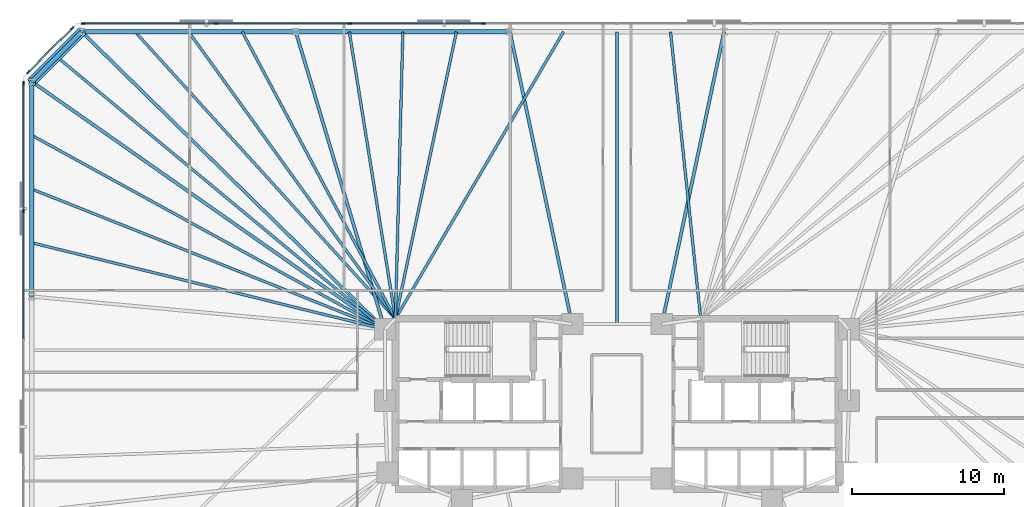
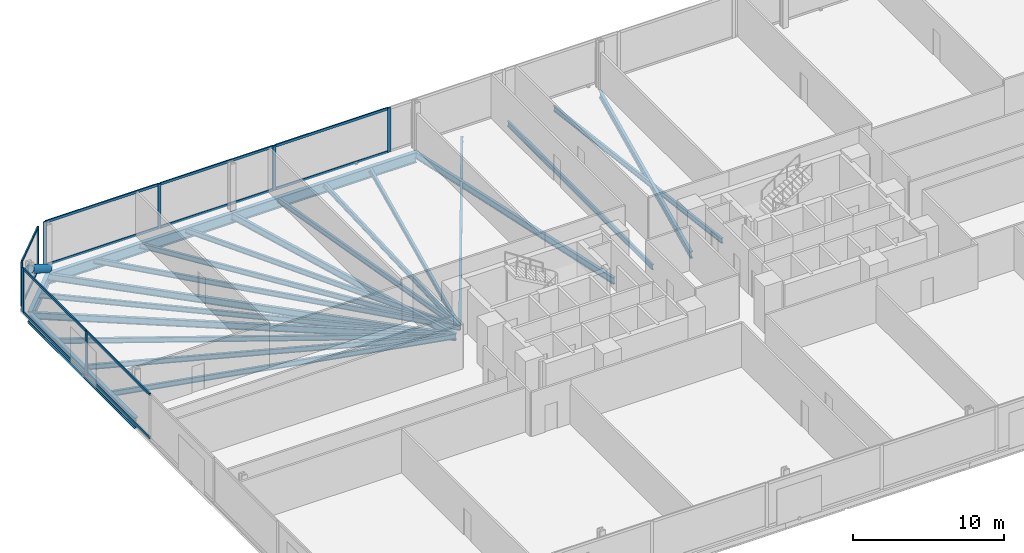
# One storey, part 8 of 17: 22 beams, 21 members, 3 elements without a shape of their own.
"""IFC4 building model written with IfcOpenShell, lengths in metres."""

from ifc_helpers import new_model, si_unit, direction, frame, origin, origin_2d, place, context, subcontext, project, spatial, rectangle, hollow_circle, i_section, extrude, material, material_profile, profile_set, type_object, element, aggregate, save


model = new_model("IFC4")

# Units and contexts
model_context = context("Model", 3, precision=1e-05, world=origin(), true_north=direction((0.0, 1.0)))
body_context = subcontext(model_context, "Body", "Model", "MODEL_VIEW")
ifc_project = project(units=[si_unit("LENGTHUNIT", "METRE"), si_unit("AREAUNIT", "SQUARE_METRE"), si_unit("VOLUMEUNIT", "CUBIC_METRE"), si_unit("PLANEANGLEUNIT", "RADIAN"), si_unit("MASSUNIT", "GRAM", prefix="KILO")], contexts=[model_context])

# Site, building, storey
site_placement = place(None, origin())
site = spatial("IfcSite", under=ifc_project, at=site_placement, CompositionType="ELEMENT")
building_placement = place(site_placement, origin())
building = spatial("IfcBuilding", under=site, at=building_placement, Name="Menara Jurai Vektor", CompositionType="ELEMENT")
storey_placement = place(building_placement, frame((0.0, 0.0, 25.60009765625)))
storey = spatial("IfcBuildingStorey", under=building, at=storey_placement, Name="L05", CompositionType="ELEMENT", Elevation=25.60009765625)

# Curtain wall, members
ifc_material_1 = material(Name="Anodised Pale Aluminium & Low-E Double Glazing", Category="aluminium")
curtain_wall_type = type_object("IfcCurtainWallType", Name="CW-BLK1", PredefinedType="NOTDEFINED", material=ifc_material_1)
curtain_wall_1_placement = place(storey_placement, origin())
curtain_wall_1 = element("IfcCurtainWall", 1, at=curtain_wall_1_placement, inside=storey, type_object=curtain_wall_type, Name="Unitised Curtain Wall L05 F05", PredefinedType="NOTDEFINED")
ifc_material_2 = material(Name="Anodised Pale Aluminium Mullion", Category="aluminium")
ifc_material_profile_1 = material_profile(ifc_material_2, rectangle(XDim=0.094970703125, YDim=0.239990234375, at=origin_2d()), Name="ALU MUL 95x240")
ifc_profile_set_1 = profile_set([ifc_material_profile_1], Name="Anodised Pale Aluminium Mullion")
member_type_1 = type_object("IfcMemberType", Name="CW-BLK1-MUL", PredefinedType="MULLION", material=ifc_profile_set_1)
member_1_placement = place(storey_placement, frame((-8.780029296875, 25.0, 0.0), z_axis=(0.0, 0.0, 1.0), x_axis=(0.0, -1.0, 0.0)))
member_1 = element("IfcMember", 2, at=member_1_placement, type_object=member_type_1, Name="CW-01 mullion 6", PredefinedType="MULLION", context=body_context, shape_type="SweptSolid", body=[
    extrude(rectangle(XDim=0.094970703125, YDim=0.239990234375, at=origin_2d()), origin(), (0.0, 0.0, 1.0), 3.574951171875),
])
member_2_placement = place(storey_placement, frame((-17.56005859375, 25.0, 0.0), z_axis=(0.0, 0.0, 1.0), x_axis=(0.0, -1.0, 0.0)))
member_2 = element("IfcMember", 3, at=member_2_placement, type_object=member_type_1, Name="CW-01 mullion 7", PredefinedType="MULLION", context=body_context, shape_type="SweptSolid", body=[
    extrude(rectangle(XDim=0.094970703125, YDim=0.239990234375, at=origin_2d()), origin(), (0.0, 0.0, 1.0), 3.574951171875),
])
member_3_placement = place(storey_placement, frame((-26.340087890625, 25.0, 0.0), z_axis=(0.0, 0.0, 1.0), x_axis=(0.0, -1.0, 0.0)))
member_3 = element("IfcMember", 4, at=member_3_placement, type_object=member_type_1, Name="CW-01 mullion 8", PredefinedType="MULLION", context=body_context, shape_type="SweptSolid", body=[
    extrude(rectangle(XDim=0.094970703125, YDim=0.239990234375, at=origin_2d()), origin(), (0.0, 0.0, 1.0), 3.574951171875),
])
member_4_placement = place(storey_placement, frame((-35.072509765625, 25.0, 0.0), z_axis=(0.0, 0.0, 1.0), x_axis=(0.0, -1.0, 0.0)))
member_4 = element("IfcMember", 5, at=member_4_placement, type_object=member_type_1, Name="CW-01 mullion 9", PredefinedType="MULLION", context=body_context, shape_type="SweptSolid", body=[
    extrude(rectangle(XDim=0.094970703125, YDim=0.239990234375, at=origin_2d()), origin(), (0.0, 0.0, 1.0), 3.574951171875),
])

curtain_wall_2_placement = place(storey_placement, origin())
curtain_wall_2 = element("IfcCurtainWall", 6, at=curtain_wall_2_placement, inside=storey, type_object=curtain_wall_type, Name="Unitised Curtain Wall L05 F06", PredefinedType="NOTDEFINED")
member_5_placement = place(storey_placement, frame((-35.80224609375, 24.69775390625, 0.0), z_axis=(0.0, 0.0, 1.0), x_axis=(0.707106781187, -0.707106781187, 0.0)))
member_5 = element("IfcMember", 7, at=member_5_placement, type_object=member_type_1, Name="CW-01 mullion 1", PredefinedType="MULLION", context=body_context, shape_type="SweptSolid", body=[
    extrude(rectangle(XDim=0.094970703125, YDim=0.239990234375, at=origin_2d()), origin(), (0.0, 0.0, 1.0), 3.574951171875),
])
member_6_placement = place(storey_placement, frame((-38.69775390625, 21.80224609375, 0.0), z_axis=(0.0, 0.0, 1.0), x_axis=(0.707106781187, -0.707106781187, 0.0)))
member_6 = element("IfcMember", 8, at=member_6_placement, type_object=member_type_1, Name="CW-01 mullion 2", PredefinedType="MULLION", context=body_context, shape_type="SweptSolid", body=[
    extrude(rectangle(XDim=0.094970703125, YDim=0.239990234375, at=origin_2d()), origin(), (0.0, 0.0, 1.0), 3.574951171875),
])

curtain_wall_3_placement = place(storey_placement, origin())
curtain_wall_3 = element("IfcCurtainWall", 9, at=curtain_wall_3_placement, inside=storey, type_object=curtain_wall_type, Name="Unitised Curtain Wall L05 F07", PredefinedType="NOTDEFINED")
member_7_placement = place(storey_placement, frame((-39.0, 21.072509765625, 0.0), z_axis=(0.0, 0.0, 1.0), x_axis=(1.0, 0.0, 0.0)))
member_7 = element("IfcMember", 10, at=member_7_placement, type_object=member_type_1, Name="CW-01 mullion 1", PredefinedType="MULLION", context=body_context, shape_type="SweptSolid", body=[
    extrude(rectangle(XDim=0.094970703125, YDim=0.239990234375, at=origin_2d()), origin(), (0.0, 0.0, 1.0), 3.574951171875),
])
member_8_placement = place(storey_placement, frame((-39.0, 12.672119140625, 0.0), z_axis=(0.0, 0.0, 1.0), x_axis=(1.0, 0.0, 0.0)))
member_8 = element("IfcMember", 11, at=member_8_placement, type_object=member_type_1, Name="CW-01 mullion 2", PredefinedType="MULLION", context=body_context, shape_type="SweptSolid", body=[
    extrude(rectangle(XDim=0.094970703125, YDim=0.239990234375, at=origin_2d()), origin(), (0.0, 0.0, 1.0), 3.574951171875),
])

# Member
ifc_material_3 = material(Name="Anodised Pale Aluminium Transom", Category="aluminium")
ifc_material_profile_2 = material_profile(ifc_material_3, rectangle(XDim=0.094970703125, YDim=0.199951171875, at=origin_2d()), Name="ALU TRN 95x200")
ifc_profile_set_2 = profile_set([ifc_material_profile_2], Name="Anodised Pale Aluminium Transom")
member_type_2 = type_object("IfcMemberType", Name="CW-BLK1-TRN", PredefinedType="USERDEFINED", material=ifc_profile_set_2)
member_9_placement = place(storey_placement, frame((-8.827392578125, 25.0, 0.04736328125), z_axis=(-1.0, 0.0, 0.0), x_axis=(0.0, -1.0, 0.0)))
member_9 = element("IfcMember", 12, at=member_9_placement, type_object=member_type_2, Name="CW-01 transom 6.1", ObjectType="TRANSOM", PredefinedType="USERDEFINED", context=body_context, shape_type="SweptSolid", body=[
    extrude(rectangle(XDim=0.094970703125, YDim=0.199951171875, at=origin_2d()), origin(), (0.0, 0.0, 1.0), 8.68505859375),
])

member_10_placement = place(storey_placement, frame((-8.827392578125, 25.0, 3.52734375), z_axis=(-1.0, 0.0, 0.0), x_axis=(0.0, -1.0, 0.0)))
member_10 = element("IfcMember", 13, at=member_10_placement, type_object=member_type_2, Name="CW-01 transom 6.2", ObjectType="TRANSOM", PredefinedType="USERDEFINED", context=body_context, shape_type="SweptSolid", body=[
    extrude(rectangle(XDim=0.094970703125, YDim=0.199951171875, at=origin_2d()), origin(), (0.0, 0.0, 1.0), 8.68505859375),
])

member_11_placement = place(storey_placement, frame((-17.607421875, 25.0, 0.04736328125), z_axis=(-1.0, 0.0, 0.0), x_axis=(0.0, -1.0, 0.0)))
member_11 = element("IfcMember", 14, at=member_11_placement, type_object=member_type_2, Name="CW-01 transom 7.1", ObjectType="TRANSOM", PredefinedType="USERDEFINED", context=body_context, shape_type="SweptSolid", body=[
    extrude(rectangle(XDim=0.094970703125, YDim=0.199951171875, at=origin_2d()), origin(), (0.0, 0.0, 1.0), 8.68505859375),
])

member_12_placement = place(storey_placement, frame((-17.607421875, 25.0, 3.52734375), z_axis=(-1.0, 0.0, 0.0), x_axis=(0.0, -1.0, 0.0)))
member_12 = element("IfcMember", 15, at=member_12_placement, type_object=member_type_2, Name="CW-01 transom 7.2", ObjectType="TRANSOM", PredefinedType="USERDEFINED", context=body_context, shape_type="SweptSolid", body=[
    extrude(rectangle(XDim=0.094970703125, YDim=0.199951171875, at=origin_2d()), origin(), (0.0, 0.0, 1.0), 8.68505859375),
])

member_13_placement = place(storey_placement, frame((-26.387451171875, 25.0, 0.04736328125), z_axis=(-1.0, 0.0, 0.0), x_axis=(0.0, -1.0, 0.0)))
member_13 = element("IfcMember", 16, at=member_13_placement, type_object=member_type_2, Name="CW-01 transom 8.1", ObjectType="TRANSOM", PredefinedType="USERDEFINED", context=body_context, shape_type="SweptSolid", body=[
    extrude(rectangle(XDim=0.094970703125, YDim=0.199951171875, at=origin_2d()), origin(), (0.0, 0.0, 1.0), 8.637451171875),
])

member_14_placement = place(storey_placement, frame((-26.387451171875, 25.0, 3.52734375), z_axis=(-1.0, 0.0, 0.0), x_axis=(0.0, -1.0, 0.0)))
member_14 = element("IfcMember", 17, at=member_14_placement, type_object=member_type_2, Name="CW-01 transom 8.2", ObjectType="TRANSOM", PredefinedType="USERDEFINED", context=body_context, shape_type="SweptSolid", body=[
    extrude(rectangle(XDim=0.094970703125, YDim=0.199951171875, at=origin_2d()), origin(), (0.0, 0.0, 1.0), 8.637451171875),
])

aggregate(curtain_wall_1, [member_1, member_2, member_3, member_4, member_9, member_10, member_11, member_12, member_13, member_14])

member_15_placement = place(storey_placement, frame((-35.8359375, 24.6640625, 0.04736328125), z_axis=(-0.707106781187, -0.707106781187, 0.0), x_axis=(0.707106781187, -0.707106781187, 0.0)))
member_15 = element("IfcMember", 18, at=member_15_placement, type_object=member_type_2, Name="CW-01 transom 1.1", ObjectType="TRANSOM", PredefinedType="USERDEFINED", context=body_context, shape_type="SweptSolid", body=[
    extrude(rectangle(XDim=0.094970703125, YDim=0.199951171875, at=origin_2d()), origin(), (0.0, 0.0, 1.0), 3.99951171875),
])

member_16_placement = place(storey_placement, frame((-35.8359375, 24.6640625, 3.52734375), z_axis=(-0.707106781187, -0.707106781187, 0.0), x_axis=(0.707106781187, -0.707106781187, 0.0)))
member_16 = element("IfcMember", 19, at=member_16_placement, type_object=member_type_2, Name="CW-01 transom 1.2", ObjectType="TRANSOM", PredefinedType="USERDEFINED", context=body_context, shape_type="SweptSolid", body=[
    extrude(rectangle(XDim=0.094970703125, YDim=0.199951171875, at=origin_2d()), origin(), (0.0, 0.0, 1.0), 3.99951171875),
])

aggregate(curtain_wall_2, [member_5, member_6, member_15, member_16])

member_17_placement = place(storey_placement, frame((-39.0, 21.02490234375, 0.04736328125), z_axis=(0.0, -1.0, 0.0), x_axis=(1.0, 0.0, 0.0)))
member_17 = element("IfcMember", 20, at=member_17_placement, type_object=member_type_2, Name="CW-01 transom 1.1", ObjectType="TRANSOM", PredefinedType="USERDEFINED", context=body_context, shape_type="SweptSolid", body=[
    extrude(rectangle(XDim=0.094970703125, YDim=0.199951171875, at=origin_2d()), origin(), (0.0, 0.0, 1.0), 8.305419921875),
])

member_18_placement = place(storey_placement, frame((-39.0, 21.02490234375, 3.52734375), z_axis=(0.0, -1.0, 0.0), x_axis=(1.0, 0.0, 0.0)))
member_18 = element("IfcMember", 21, at=member_18_placement, type_object=member_type_2, Name="CW-01 transom 1.2", ObjectType="TRANSOM", PredefinedType="USERDEFINED", context=body_context, shape_type="SweptSolid", body=[
    extrude(rectangle(XDim=0.094970703125, YDim=0.199951171875, at=origin_2d()), origin(), (0.0, 0.0, 1.0), 8.305419921875),
])

member_19_placement = place(storey_placement, frame((-39.0, 12.62451171875, 0.04736328125), z_axis=(0.0, -1.0, 0.0), x_axis=(1.0, 0.0, 0.0)))
member_19 = element("IfcMember", 22, at=member_19_placement, type_object=member_type_2, Name="CW-01 transom 2.1", ObjectType="TRANSOM", PredefinedType="USERDEFINED", context=body_context, shape_type="SweptSolid", body=[
    extrude(rectangle(XDim=0.094970703125, YDim=0.199951171875, at=origin_2d()), origin(), (0.0, 0.0, 1.0), 8.35302734375),
])

member_20_placement = place(storey_placement, frame((-39.0, 12.62451171875, 3.52734375), z_axis=(0.0, -1.0, 0.0), x_axis=(1.0, 0.0, 0.0)))
member_20 = element("IfcMember", 23, at=member_20_placement, type_object=member_type_2, Name="CW-01 transom 2.2", ObjectType="TRANSOM", PredefinedType="USERDEFINED", context=body_context, shape_type="SweptSolid", body=[
    extrude(rectangle(XDim=0.094970703125, YDim=0.199951171875, at=origin_2d()), origin(), (0.0, 0.0, 1.0), 8.35302734375),
])

aggregate(curtain_wall_3, [member_7, member_8, member_17, member_18, member_19, member_20])

# Beams
ifc_material_4 = material(Name="Steel S355", Category="steel")
ifc_material_profile_3 = material_profile(ifc_material_4, i_section(OverallWidth=0.2109375, OverallDepth=0.5390625, WebThickness=0.011962890625, FlangeThickness=0.01904296875, FilletRadius=0.012939453125, at=origin_2d()), Name="UKB 533x210x109")
ifc_profile_set_3 = profile_set([ifc_material_profile_3], Name="Steel S355")
beam_type_1 = type_object("IfcBeamType", Name="STR-BM-533", PredefinedType="BEAM", material=ifc_profile_set_3)
for number, where, z_axis, x_axis, name in (
    (24, (7.03564453125, 24.449951171875, -0.49462890625), (-0.2081367579, -0.978099734184, 0.0), (0.978099734184, -0.2081367579, 0.0), "Radial Floor Girder L05-N3"),
    (25, (-7.03564453125, 24.449951171875, -0.49462890625), (0.2081367579, -0.978099734184, 0.0), (0.978099734184, 0.2081367579, 0.0), "Radial Floor Girder L05-N4"),
):
    element("IfcBeam", number, at=place(storey_placement, frame(where, z_axis=z_axis, x_axis=x_axis)), inside=storey, type_object=beam_type_1, Name=name, PredefinedType="BEAM", context=body_context, shape_type="SweptSolid", body=[
        extrude(i_section(OverallWidth=0.2109375, OverallDepth=0.5390625, WebThickness=0.011962890625, FlangeThickness=0.01904296875, FilletRadius=0.012939453125, at=origin_2d()), origin(), (0.0, 0.0, 1.0), 19.6298828125),
    ])
beam_1_placement = place(storey_placement, frame((-21.106689453125, 24.449951171875, -0.49462890625), z_axis=(0.286973617166, -0.957938486047, 0.0), x_axis=(0.957938486047, 0.286973617166, 0.0)))
element("IfcBeam", 26, at=beam_1_placement, inside=storey, type_object=beam_type_1, Name="Radial Floor Girder L05-N5", PredefinedType="BEAM", context=body_context, shape_type="SweptSolid", body=[
    extrude(i_section(OverallWidth=0.2109375, OverallDepth=0.5390625, WebThickness=0.011962890625, FlangeThickness=0.01904296875, FilletRadius=0.012939453125, at=origin_2d()), origin(), (0.0, 0.0, 1.0), 20.408447265625),
])
beam_2_placement = place(storey_placement, frame((-35.177734375, 24.449951171875, -0.49462890625), z_axis=(0.713839032855, -0.700309813706, 0.0), x_axis=(0.700309813706, 0.713839032855, 0.0)))
element("IfcBeam", 27, at=beam_2_placement, inside=storey, type_object=beam_type_1, Name="Radial Floor Girder L05-N6", PredefinedType="BEAM", context=body_context, shape_type="SweptSolid", body=[
    extrude(i_section(OverallWidth=0.2109375, OverallDepth=0.5390625, WebThickness=0.011962890625, FlangeThickness=0.01904296875, FilletRadius=0.012939453125, at=origin_2d()), origin(), (0.0, 0.0, 1.0), 27.916259765625),
])
beam_3_placement = place(storey_placement, frame((-38.449951171875, 21.177734375, -0.49462890625), z_axis=(0.818603732445, -0.574358711283, 0.0), x_axis=(0.574358711283, 0.818603732445, 0.0)))
element("IfcBeam", 28, at=beam_3_placement, inside=storey, type_object=beam_type_1, Name="Radial Floor Girder L05-W1", PredefinedType="BEAM", context=body_context, shape_type="SweptSolid", body=[
    extrude(i_section(OverallWidth=0.2109375, OverallDepth=0.5390625, WebThickness=0.011962890625, FlangeThickness=0.01904296875, FilletRadius=0.012939453125, at=origin_2d()), origin(), (0.0, 0.0, 1.0), 28.3408203125),
])

# Member
ifc_material_5 = material(Name="Steel S460", Category="steel")
ifc_material_profile_4 = material_profile(ifc_material_5, hollow_circle(Radius=0.304931640625, WallThickness=0.02490234375, at=origin_2d()), Name="CHS 610x25")
ifc_profile_set_4 = profile_set([ifc_material_profile_4], Name="Steel S460")
member_type_3 = type_object("IfcMemberType", Name="STR-BR-610", PredefinedType="BRACE", material=ifc_profile_set_4)
member_21_placement = place(storey_placement, frame((-35.177734375, 24.449951171875, 0.14990234375), z_axis=(-0.588942422958, -0.588942422958, 0.553438022619), x_axis=(0.707106781187, -0.707106781187, 0.0)))
element("IfcMember", 29, at=member_21_placement, inside=storey, type_object=member_type_3, Name="Exoskeleton Corner Brace L05-3", PredefinedType="BRACE", context=body_context, shape_type="SweptSolid", body=[
    extrude(hollow_circle(Radius=0.304931640625, WallThickness=0.02490234375, at=origin_2d()), origin(), (0.0, 0.0, 1.0), 5.55615234375),
])

# Beams
ifc_material_profile_5 = material_profile(ifc_material_4, i_section(OverallWidth=0.178955078125, OverallDepth=0.408935546875, WebThickness=0.009033203125, FlangeThickness=0.013916015625, FilletRadius=0.010009765625, at=origin_2d()), Name="UKB 406x178x67")
ifc_profile_set_5 = profile_set([ifc_material_profile_5], Name="Steel S355")
beam_type_2 = type_object("IfcBeamType", Name="STR-JS-406", PredefinedType="JOIST", material=ifc_profile_set_5)
beam_4_placement = place(storey_placement, frame((3.517822265625, 24.449951171875, -0.4296875), z_axis=(0.104579513969, -0.994516528399, 0.0), x_axis=(0.994516528399, 0.104579513969, 0.0)))
element("IfcBeam", 30, at=beam_4_placement, inside=storey, type_object=beam_type_2, Name="Radial Secondary Floor Joist L05-JS22", PredefinedType="JOIST", context=body_context, shape_type="SweptSolid", body=[
    extrude(i_section(OverallWidth=0.178955078125, OverallDepth=0.408935546875, WebThickness=0.009033203125, FlangeThickness=0.013916015625, FilletRadius=0.010009765625, at=origin_2d()), origin(), (0.0, 0.0, 1.0), 18.953857421875),
])
beam_5_placement = place(storey_placement, frame((0.0, 24.449951171875, -0.4296875), z_axis=(0.0, -1.0, 0.0), x_axis=(1.0, 0.0, 0.0)))
element("IfcBeam", 31, at=beam_5_placement, inside=storey, type_object=beam_type_2, Name="Radial Secondary Floor Joist L05-JS23", PredefinedType="JOIST", context=body_context, shape_type="SweptSolid", body=[
    extrude(i_section(OverallWidth=0.178955078125, OverallDepth=0.408935546875, WebThickness=0.009033203125, FlangeThickness=0.013916015625, FilletRadius=0.010009765625, at=origin_2d()), origin(), (0.0, 0.0, 1.0), 19.199951171875),
])
beam_6_placement = place(storey_placement, frame((-3.517822265625, 24.449951171875, -0.4296875), z_axis=(-0.505457909797, -0.862851262631, 0.0), x_axis=(0.862851262631, -0.505457909797, 0.0)))
element("IfcBeam", 32, at=beam_6_placement, inside=storey, type_object=beam_type_2, Name="Radial Secondary Floor Joist L05-JS24", PredefinedType="JOIST", context=body_context, shape_type="SweptSolid", body=[
    extrude(i_section(OverallWidth=0.178955078125, OverallDepth=0.408935546875, WebThickness=0.009033203125, FlangeThickness=0.013916015625, FilletRadius=0.010009765625, at=origin_2d()), origin(), (0.0, 0.0, 1.0), 21.845947265625),
])
beam_7_placement = place(storey_placement, frame((-10.55322265625, 24.449951171875, -0.4296875), z_axis=(-0.207920423262, -0.978145744555, 0.0), x_axis=(0.978145744555, -0.207920423262, 0.0)))
element("IfcBeam", 33, at=beam_7_placement, inside=storey, type_object=beam_type_2, Name="Radial Secondary Floor Joist L05-JS25", PredefinedType="JOIST", context=body_context, shape_type="SweptSolid", body=[
    extrude(i_section(OverallWidth=0.178955078125, OverallDepth=0.408935546875, WebThickness=0.009033203125, FlangeThickness=0.013916015625, FilletRadius=0.010009765625, at=origin_2d()), origin(), (0.0, 0.0, 1.0), 19.27099609375),
])
beam_8_placement = place(storey_placement, frame((-14.071044921875, 24.449951171875, -0.4296875), z_axis=(-0.02593384597, -0.999663661255, 0.0), x_axis=(0.999663661255, -0.02593384597, 0.0)))
element("IfcBeam", 34, at=beam_8_placement, inside=storey, type_object=beam_type_2, Name="Radial Secondary Floor Joist L05-JS26", PredefinedType="JOIST", context=body_context, shape_type="SweptSolid", body=[
    extrude(i_section(OverallWidth=0.178955078125, OverallDepth=0.408935546875, WebThickness=0.009033203125, FlangeThickness=0.013916015625, FilletRadius=0.010009765625, at=origin_2d()), origin(), (0.0, 0.0, 1.0), 18.856201171875),
])
beam_9_placement = place(storey_placement, frame((-17.5888671875, 24.449951171875, -0.4296875), z_axis=(0.158645817656, -0.987335558227, 0.0), x_axis=(0.987335558227, 0.158645817656, 0.0)))
element("IfcBeam", 35, at=beam_9_placement, inside=storey, type_object=beam_type_2, Name="Radial Secondary Floor Joist L05-JS27", PredefinedType="JOIST", context=body_context, shape_type="SweptSolid", body=[
    extrude(i_section(OverallWidth=0.178955078125, OverallDepth=0.408935546875, WebThickness=0.009033203125, FlangeThickness=0.013916015625, FilletRadius=0.010009765625, at=origin_2d()), origin(), (0.0, 0.0, 1.0), 19.091552734375),
])
beam_10_placement = place(storey_placement, frame((-24.62451171875, 24.449951171875, -0.4296875), z_axis=(0.470996174599, -0.882135252392, 0.0), x_axis=(0.882135252392, 0.470996174599, 0.0)))
element("IfcBeam", 36, at=beam_10_placement, inside=storey, type_object=beam_type_2, Name="Radial Secondary Floor Joist L05-JS28", PredefinedType="JOIST", context=body_context, shape_type="SweptSolid", body=[
    extrude(i_section(OverallWidth=0.178955078125, OverallDepth=0.408935546875, WebThickness=0.009033203125, FlangeThickness=0.013916015625, FilletRadius=0.010009765625, at=origin_2d()), origin(), (0.0, 0.0, 1.0), 21.368408203125),
])
beam_11_placement = place(storey_placement, frame((-28.142333984375, 24.449951171875, -0.4296875), z_axis=(0.584598948369, -0.811322420229, 0.0), x_axis=(0.811322420229, 0.584598948369, 0.0)))
element("IfcBeam", 37, at=beam_11_placement, inside=storey, type_object=beam_type_2, Name="Radial Secondary Floor Joist L05-JS29", PredefinedType="JOIST", context=body_context, shape_type="SweptSolid", body=[
    extrude(i_section(OverallWidth=0.178955078125, OverallDepth=0.408935546875, WebThickness=0.009033203125, FlangeThickness=0.013916015625, FilletRadius=0.010009765625, at=origin_2d()), origin(), (0.0, 0.0, 1.0), 23.2333984375),
])
beam_12_placement = place(storey_placement, frame((-31.659912109375, 24.449951171875, -0.4296875), z_axis=(0.671889844346, -0.740651089964, 0.0), x_axis=(0.740651089964, 0.671889844346, 0.0)))
element("IfcBeam", 38, at=beam_12_placement, inside=storey, type_object=beam_type_2, Name="Radial Secondary Floor Joist L05-JS30", PredefinedType="JOIST", context=body_context, shape_type="SweptSolid", body=[
    extrude(i_section(OverallWidth=0.178955078125, OverallDepth=0.408935546875, WebThickness=0.009033203125, FlangeThickness=0.013916015625, FilletRadius=0.010009765625, at=origin_2d()), origin(), (0.0, 0.0, 1.0), 25.450439453125),
])
beam_13_placement = place(storey_placement, frame((-36.81396484375, 22.81396484375, -0.4296875), z_axis=(0.769201173096, -0.639006694259, 0.0), x_axis=(0.639006694259, 0.769201173096, 0.0)))
element("IfcBeam", 39, at=beam_13_placement, inside=storey, type_object=beam_type_2, Name="Radial Secondary Floor Joist L05-JS31", PredefinedType="JOIST", context=body_context, shape_type="SweptSolid", body=[
    extrude(i_section(OverallWidth=0.178955078125, OverallDepth=0.408935546875, WebThickness=0.009033203125, FlangeThickness=0.013916015625, FilletRadius=0.010009765625, at=origin_2d()), origin(), (0.0, 0.0, 1.0), 28.0341796875),
])
beam_14_placement = place(storey_placement, frame((-38.449951171875, 17.648193359375, -0.4296875), z_axis=(0.87640219057, -0.481579900291, 0.0), x_axis=(0.481579900291, 0.87640219057, 0.0)))
element("IfcBeam", 40, at=beam_14_placement, inside=storey, type_object=beam_type_2, Name="Radial Secondary Floor Joist L05-JS32", PredefinedType="JOIST", context=body_context, shape_type="SweptSolid", body=[
    extrude(i_section(OverallWidth=0.178955078125, OverallDepth=0.408935546875, WebThickness=0.009033203125, FlangeThickness=0.013916015625, FilletRadius=0.010009765625, at=origin_2d()), origin(), (0.0, 0.0, 1.0), 26.471923828125),
])
beam_15_placement = place(storey_placement, frame((-38.449951171875, 14.118408203125, -0.4296875), z_axis=(0.929323400723, -0.369266864027, 0.0), x_axis=(0.369266864027, 0.929323400723, 0.0)))
element("IfcBeam", 41, at=beam_15_placement, inside=storey, type_object=beam_type_2, Name="Radial Secondary Floor Joist L05-JS33", PredefinedType="JOIST", context=body_context, shape_type="SweptSolid", body=[
    extrude(i_section(OverallWidth=0.178955078125, OverallDepth=0.408935546875, WebThickness=0.009033203125, FlangeThickness=0.013916015625, FilletRadius=0.010009765625, at=origin_2d()), origin(), (0.0, 0.0, 1.0), 24.96435546875),
])
beam_16_placement = place(storey_placement, frame((-38.449951171875, 10.5888671875, -0.4296875), z_axis=(0.971226234641, -0.238158772976, 0.0), x_axis=(0.238158772976, 0.971226234641, 0.0)))
element("IfcBeam", 42, at=beam_16_placement, inside=storey, type_object=beam_type_2, Name="Radial Secondary Floor Joist L05-JS34", PredefinedType="JOIST", context=body_context, shape_type="SweptSolid", body=[
    extrude(i_section(OverallWidth=0.178955078125, OverallDepth=0.408935546875, WebThickness=0.009033203125, FlangeThickness=0.013916015625, FilletRadius=0.010009765625, at=origin_2d()), origin(), (0.0, 0.0, 1.0), 23.88720703125),
])
ifc_material_profile_6 = material_profile(ifc_material_5, i_section(OverallWidth=0.2939453125, OverallDepth=0.85107421875, WebThickness=0.01611328125, FlangeThickness=0.027099609375, FilletRadius=0.01806640625, at=origin_2d()), Name="UKB 838x292x226")
ifc_profile_set_6 = profile_set([ifc_material_profile_6], Name="Steel S460")
beam_type_3 = type_object("IfcBeamType", Name="STR-SP-838", PredefinedType="SPANDREL", material=ifc_profile_set_6)
for number, where, z_axis, x_axis, name in (
    (43, (-7.03564453125, 24.449951171875, -0.650634765625), (-1.0, 0.0, 0.0), (0.0, -1.0, 0.0), "Exoskeleton Spandrel Beam L05-14"),
    (44, (-21.106689453125, 24.449951171875, -0.650634765625), (-1.0, 0.0, 0.0), (0.0, -1.0, 0.0), "Exoskeleton Spandrel Beam L05-15"),
):
    element("IfcBeam", number, at=place(storey_placement, frame(where, z_axis=z_axis, x_axis=x_axis)), inside=storey, type_object=beam_type_3, Name=name, PredefinedType="SPANDREL", context=body_context, shape_type="SweptSolid", body=[
        extrude(i_section(OverallWidth=0.2939453125, OverallDepth=0.85107421875, WebThickness=0.01611328125, FlangeThickness=0.027099609375, FilletRadius=0.01806640625, at=origin_2d()), origin(), (0.0, 0.0, 1.0), 14.071044921875),
    ])
beam_17_placement = place(storey_placement, frame((-35.177734375, 24.449951171875, -0.650634765625), z_axis=(-0.707106781187, -0.707106781187, 0.0), x_axis=(0.707106781187, -0.707106781187, 0.0)))
element("IfcBeam", 45, at=beam_17_placement, inside=storey, type_object=beam_type_3, Name="Exoskeleton Spandrel Beam L05-16", PredefinedType="SPANDREL", context=body_context, shape_type="SweptSolid", body=[
    extrude(i_section(OverallWidth=0.2939453125, OverallDepth=0.85107421875, WebThickness=0.01611328125, FlangeThickness=0.027099609375, FilletRadius=0.01806640625, at=origin_2d()), origin(), (0.0, 0.0, 1.0), 4.627685546875),
])
beam_18_placement = place(storey_placement, frame((-38.449951171875, 21.177734375, -0.650634765625), z_axis=(0.0, -1.0, 0.0), x_axis=(1.0, 0.0, 0.0)))
element("IfcBeam", 46, at=beam_18_placement, inside=storey, type_object=beam_type_3, Name="Exoskeleton Spandrel Beam L05-17", PredefinedType="SPANDREL", context=body_context, shape_type="SweptSolid", body=[
    extrude(i_section(OverallWidth=0.2939453125, OverallDepth=0.85107421875, WebThickness=0.01611328125, FlangeThickness=0.027099609375, FilletRadius=0.01806640625, at=origin_2d()), origin(), (0.0, 0.0, 1.0), 14.118408203125),
])

save(model, "model.ifc")
